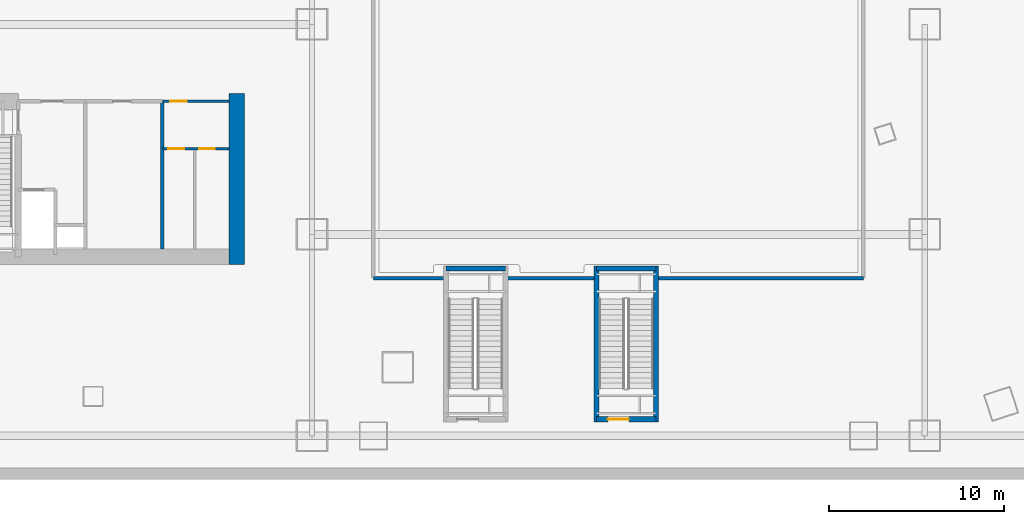
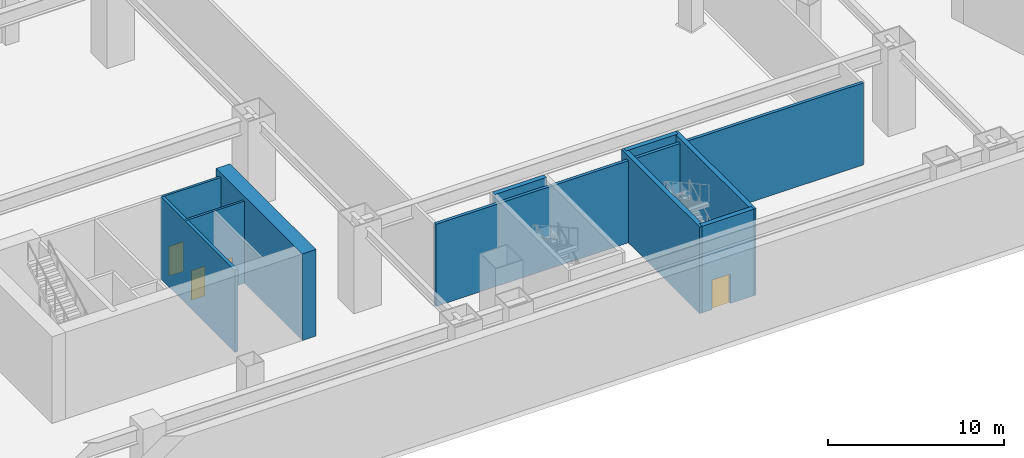
# One storey, part 7 of 20: 10 walls, 4 doors, 4 openings.
"""IFC4 building model written with IfcOpenShell, lengths in metres."""

from ifc_helpers import new_model, si_unit, direction, frame, frame_2d, origin, place, context, subcontext, project, spatial, rectangle, extrude, material, layer, layer_set, type_object, element, fill, save


model = new_model("IFC4")

# Units and contexts
model_context = context("Model", 3, precision=1e-05, world=origin(), true_north=direction((0.0, 1.0)))
body_context = subcontext(model_context, "Body", "Model", "MODEL_VIEW")
ifc_project = project(units=[si_unit("LENGTHUNIT", "METRE"), si_unit("AREAUNIT", "SQUARE_METRE"), si_unit("VOLUMEUNIT", "CUBIC_METRE"), si_unit("PLANEANGLEUNIT", "RADIAN"), si_unit("MASSUNIT", "GRAM", prefix="KILO")], contexts=[model_context])

# Site, building, storey
site_placement = place(None, origin())
site = spatial("IfcSite", under=ifc_project, at=site_placement, CompositionType="ELEMENT")
building_placement = place(site_placement, origin())
building = spatial("IfcBuilding", under=site, at=building_placement, Name="Qiaolan Cultural Towers", CompositionType="ELEMENT")
storey_placement = place(building_placement, frame((0.0, 0.0, -6.0)))
storey = spatial("IfcBuildingStorey", under=building, at=storey_placement, Name="B1", CompositionType="ELEMENT", Elevation=-6.0)

# Walls
ifc_material_1 = material(Name="Concrete C50", Category="concrete")
ifc_layer_1 = layer(ifc_material_1, 0.35009765625)
ifc_layer_set_1 = layer_set([ifc_layer_1], Name="Concrete C50")
wall_type_1 = type_object("IfcWallType", Name="WL-CORE-350", PredefinedType="SHEAR", material=ifc_layer_set_1)
wall_1_placement = place(storey_placement, frame((50.14990234375, 12.050048828125, 0.0), z_axis=(0.0, 0.0, 1.0), x_axis=(1.0, 0.0, 0.0)))
element("IfcWall", 1, at=wall_1_placement, inside=storey, type_object=wall_type_1, Name="B1 STM1 Stair Shaft Wall N", PredefinedType="SHEAR", context=body_context, shape_type="SweptSolid", body=[
    extrude(rectangle(XDim=3.400146484375, YDim=0.300048828125, at=frame_2d((1.7001953125, 0.0))), origin(), (0.0, 0.0, 1.0), 6.0),
])
for number, where, z_axis, x_axis, name in (
    (2, (58.75, 3.300048828125, 0.0), (0.0, 0.0, 1.0), (0.0, 1.0, 0.0), "B1 STM2 Stair Shaft Wall W"),
    (3, (62.14990234375, 3.300048828125, 0.0), (0.0, 0.0, 1.0), (0.0, 1.0, 0.0), "B1 STM2 Stair Shaft Wall E"),
):
    element("IfcWall", number, at=place(storey_placement, frame(where, z_axis=z_axis, x_axis=x_axis)), inside=storey, type_object=wall_type_1, Name=name, PredefinedType="SHEAR", context=body_context, shape_type="SweptSolid", body=[
        extrude(rectangle(XDim=8.89990234375, YDim=0.300048828125, at=frame_2d((4.449951171875, 0.0))), origin(), (0.0, 0.0, 1.0), 6.0),
    ])
wall_2_placement = place(storey_placement, frame((58.75, 12.050048828125, 0.0), z_axis=(0.0, 0.0, 1.0), x_axis=(1.0, 0.0, 0.0)))
element("IfcWall", 4, at=wall_2_placement, inside=storey, type_object=wall_type_1, Name="B1 STM2 Stair Shaft Wall N", PredefinedType="SHEAR", context=body_context, shape_type="SweptSolid", body=[
    extrude(rectangle(XDim=3.39990234375, YDim=0.300048828125, at=frame_2d((1.699951171875, 0.0))), origin(), (0.0, 0.0, 1.0), 6.0),
])

# Wall, opening, door
wall_3_placement = place(storey_placement, frame((58.75, 3.449951171875, 0.0), z_axis=(0.0, 0.0, 1.0), x_axis=(1.0, 0.0, 0.0)))
wall_3 = element("IfcWall", 5, at=wall_3_placement, inside=storey, type_object=wall_type_1, Name="B1 STM2 Stair Shaft Wall S", PredefinedType="SHEAR", context=body_context, shape_type="SweptSolid", body=[
    extrude(rectangle(XDim=3.39990234375, YDim=0.300048828125, at=frame_2d((1.699951171875, 0.0))), origin(), (0.0, 0.0, 1.0), 6.0),
])
opening_1_placement = place(wall_3_placement, frame((0.64990234375, 0.0, 0.0)))
opening_1 = element("IfcOpeningElement", 6, at=opening_1_placement, cuts=wall_3, Name="Opening FD-03", PredefinedType="OPENING", context=body_context, shape_type="SweptSolid", body=[
    extrude(rectangle(XDim=1.199951171875, YDim=2.050048828125, at=frame_2d((0.60009765625, 1.02490234375))), frame((0.0, 0.159912109375, 0.0), z_axis=(0.0, -1.0, 0.0), x_axis=(1.0, 0.0, 0.0)), (0.0, 0.0, 1.0), 0.320068359375),
])
ifc_material_2 = material(Name="Galvanized Steel Smokeproof Lobby Fire Door", Category="steel")
door_type_1 = type_object("IfcDoorType", Name="DR-FD90-1200", OperationType="NOTDEFINED", PredefinedType="DOOR", material=ifc_material_2)
door_1_placement = place(opening_1_placement, origin())
door_1 = element("IfcDoor", 7, at=door_1_placement, inside=storey, type_object=door_type_1, Name="B1 Exit Stair ST-M2 Fire Door", OperationType="SINGLE_SWING_LEFT", OverallHeight=2.050048828125, OverallWidth=1.199951171875, PredefinedType="DOOR", context=body_context, shape_type="SweptSolid", body=[
    extrude(rectangle(XDim=1.199951171875, YDim=2.050048828125, at=frame_2d((0.60009765625, 1.02490234375))), frame((0.0, 0.02490234375, 0.0), z_axis=(0.0, -1.0, 0.0), x_axis=(1.0, 0.0, 0.0)), (0.0, 0.0, 1.0), 0.050048828125),
])
fill(opening_1, door_1)

# Walls
ifc_material_3 = material(Name="Concrete C60", Category="concrete")
ifc_layer_2 = layer(ifc_material_3, 0.89990234375)
ifc_layer_set_2 = layer_set([ifc_layer_2], Name="Concrete C60")
wall_type_2 = type_object("IfcWallType", Name="WL-CORE-900", PredefinedType="SHEAR", material=ifc_layer_set_2)
wall_4_placement = place(storey_placement, frame((38.199951171875, 22.050048828125, 0.0), z_axis=(0.0, 0.0, 1.0), x_axis=(0.0, -1.0, 0.0)))
element("IfcWall", 8, at=wall_4_placement, inside=storey, type_object=wall_type_2, Name="B1 T1-CS East Core Shear Wall", PredefinedType="SHEAR", context=body_context, shape_type="SweptSolid", body=[
    extrude(rectangle(XDim=9.780029296875, YDim=0.89990234375, at=frame_2d((4.89013671875, 0.0))), origin(), (0.0, 0.0, 1.0), 6.0),
])
ifc_material_4 = material(Name="Concrete C35 Fire Wall", Category="concrete")
ifc_layer_3 = layer(ifc_material_4, 0.199951171875)
ifc_layer_set_3 = layer_set([ifc_layer_3], Name="Concrete C35 Fire Wall")
wall_type_3 = type_object("IfcWallType", Name="WL-FIRE-200", PredefinedType="PARTITIONING", material=ifc_layer_set_3)
wall_5_placement = place(storey_placement, frame((33.949951171875, 21.60009765625, 0.0), z_axis=(0.0, 0.0, 1.0), x_axis=(0.0, -1.0, 0.0)))
element("IfcWall", 9, at=wall_5_placement, inside=storey, type_object=wall_type_3, Name="B1 T1-CS Lift Core East Wall", PredefinedType="PARTITIONING", context=body_context, shape_type="SweptSolid", body=[
    extrude(rectangle(XDim=8.43017578125, YDim=0.199951171875, at=frame_2d((4.215087890625, 0.0))), origin(), (0.0, 0.0, 1.0), 5.68505859375),
])
wall_6_placement = place(storey_placement, frame((46.0, 11.5, 0.0), z_axis=(0.0, 0.0, 1.0), x_axis=(1.0, 0.0, 0.0)))
element("IfcWall", 10, at=wall_6_placement, inside=storey, type_object=wall_type_3, Name="B1 Podium Partition B1-MCS", PredefinedType="PARTITIONING", context=body_context, shape_type="SweptSolid", body=[
    extrude(rectangle(XDim=28.0, YDim=0.199951171875, at=frame_2d((14.0, 0.0))), origin(), (0.0, 0.0, 1.0), 5.68505859375),
])

# Wall, opening, door
ifc_material_5 = material(Name="Autoclaved Aerated Concrete Block B06", Category="concrete")
ifc_layer_4 = layer(ifc_material_5, 0.14990234375)
ifc_layer_set_4 = layer_set([ifc_layer_4], Name="Autoclaved Aerated Concrete Block B06")
wall_type_4 = type_object("IfcWallType", Name="WL-PART-150", PredefinedType="PARTITIONING", material=ifc_layer_set_4)
wall_7_placement = place(storey_placement, frame((33.949951171875, 21.60009765625, 0.0), z_axis=(0.0, 0.0, 1.0), x_axis=(1.0, 0.0, 0.0)))
wall_7 = element("IfcWall", 11, at=wall_7_placement, inside=storey, type_object=wall_type_4, Name="B1 T1-CS Sanitary Core Front Wall", PredefinedType="PARTITIONING", context=body_context, shape_type="SweptSolid", body=[
    extrude(rectangle(XDim=3.800048828125, YDim=0.14990234375, at=frame_2d((1.89990234375, 0.0))), origin(), (0.0, 0.0, 1.0), 5.68505859375),
])
opening_2_placement = place(wall_7_placement, frame((0.449951171875, 0.0, 0.0)))
opening_2 = element("IfcOpeningElement", 12, at=opening_2_placement, cuts=wall_7, Name="Opening ID-05", PredefinedType="OPENING", context=body_context, shape_type="SweptSolid", body=[
    extrude(rectangle(XDim=0.949951171875, YDim=2.050048828125, at=frame_2d((0.47509765625, 1.02490234375))), frame((0.0, 0.0849609375, 0.0), z_axis=(0.0, -1.0, 0.0), x_axis=(1.0, 0.0, 0.0)), (0.0, 0.0, 1.0), 0.169921875),
])
ifc_material_6 = material(Name="Fire-Rated Laminate Accessible Core Door", Category="timber")
door_type_2 = type_object("IfcDoorType", Name="DR-INT-950", OperationType="NOTDEFINED", PredefinedType="DOOR", material=ifc_material_6)
door_2_placement = place(opening_2_placement, origin())
door_2 = element("IfcDoor", 13, at=door_2_placement, inside=storey, type_object=door_type_2, Name="B1 Sanitary Vestibule Door", OperationType="SINGLE_SWING_LEFT", OverallHeight=2.050048828125, OverallWidth=0.949951171875, PredefinedType="DOOR", context=body_context, shape_type="SweptSolid", body=[
    extrude(rectangle(XDim=0.949951171875, YDim=2.050048828125, at=frame_2d((0.47509765625, 1.02490234375))), frame((0.0, 0.02490234375, 0.0), z_axis=(0.0, -1.0, 0.0), x_axis=(1.0, 0.0, 0.0)), (0.0, 0.0, 1.0), 0.050048828125),
])
fill(opening_2, door_2)

# Wall, openings, doors
wall_8_placement = place(storey_placement, frame((33.949951171875, 18.89990234375, 0.0), z_axis=(0.0, 0.0, 1.0), x_axis=(1.0, 0.0, 0.0)))
wall_8 = element("IfcWall", 14, at=wall_8_placement, inside=storey, type_object=wall_type_4, Name="B1 T1-CS Restroom Vestibule Wall", PredefinedType="PARTITIONING", context=body_context, shape_type="SweptSolid", body=[
    extrude(rectangle(XDim=3.800048828125, YDim=0.14990234375, at=frame_2d((1.89990234375, 0.0))), origin(), (0.0, 0.0, 1.0), 5.68505859375),
])
opening_3_placement = place(wall_8_placement, frame((0.35009765625, 0.0, 0.0)))
opening_3 = element("IfcOpeningElement", 15, at=opening_3_placement, cuts=wall_8, Name="Opening ID-06", PredefinedType="OPENING", context=body_context, shape_type="SweptSolid", body=[
    extrude(rectangle(XDim=0.89990234375, YDim=2.050048828125, at=frame_2d((0.449951171875, 1.02490234375))), frame((0.0, 0.0849609375, 0.0), z_axis=(0.0, -1.0, 0.0), x_axis=(1.0, 0.0, 0.0)), (0.0, 0.0, 1.0), 0.169921875),
])
opening_4_placement = place(wall_8_placement, frame((2.10009765625, 0.0, 0.0)))
opening_4 = element("IfcOpeningElement", 16, at=opening_4_placement, cuts=wall_8, Name="Opening ID-06", PredefinedType="OPENING", context=body_context, shape_type="SweptSolid", body=[
    extrude(rectangle(XDim=0.89990234375, YDim=2.050048828125, at=frame_2d((0.449951171875, 1.02490234375))), frame((0.0, 0.0849609375, 0.0), z_axis=(0.0, -1.0, 0.0), x_axis=(1.0, 0.0, 0.0)), (0.0, 0.0, 1.0), 0.169921875),
])
ifc_material_7 = material(Name="Fire-Rated Laminate Core Service Door", Category="timber")
door_type_3 = type_object("IfcDoorType", Name="DR-INT-900", OperationType="NOTDEFINED", PredefinedType="DOOR", material=ifc_material_7)
door_3_placement = place(opening_3_placement, origin())
door_3 = element("IfcDoor", 17, at=door_3_placement, inside=storey, type_object=door_type_3, Name="B1 Men Restroom Door", OperationType="SINGLE_SWING_LEFT", OverallHeight=2.050048828125, OverallWidth=0.89990234375, PredefinedType="DOOR", context=body_context, shape_type="SweptSolid", body=[
    extrude(rectangle(XDim=0.89990234375, YDim=2.050048828125, at=frame_2d((0.449951171875, 1.02490234375))), frame((0.0, 0.02490234375, 0.0), z_axis=(0.0, -1.0, 0.0), x_axis=(1.0, 0.0, 0.0)), (0.0, 0.0, 1.0), 0.050048828125),
])
fill(opening_3, door_3)
door_4_placement = place(opening_4_placement, origin())
door_4 = element("IfcDoor", 18, at=door_4_placement, inside=storey, type_object=door_type_3, Name="B1 Accessible & Women Restroom Door", OperationType="SINGLE_SWING_RIGHT", OverallHeight=2.050048828125, OverallWidth=0.89990234375, PredefinedType="DOOR", context=body_context, shape_type="SweptSolid", body=[
    extrude(rectangle(XDim=0.89990234375, YDim=2.050048828125, at=frame_2d((0.449951171875, 1.02490234375))), frame((0.0, 0.02490234375, 0.0), z_axis=(0.0, -1.0, 0.0), x_axis=(1.0, 0.0, 0.0)), (0.0, 0.0, 1.0), 0.050048828125),
])
fill(opening_4, door_4)

save(model, "model.ifc")
